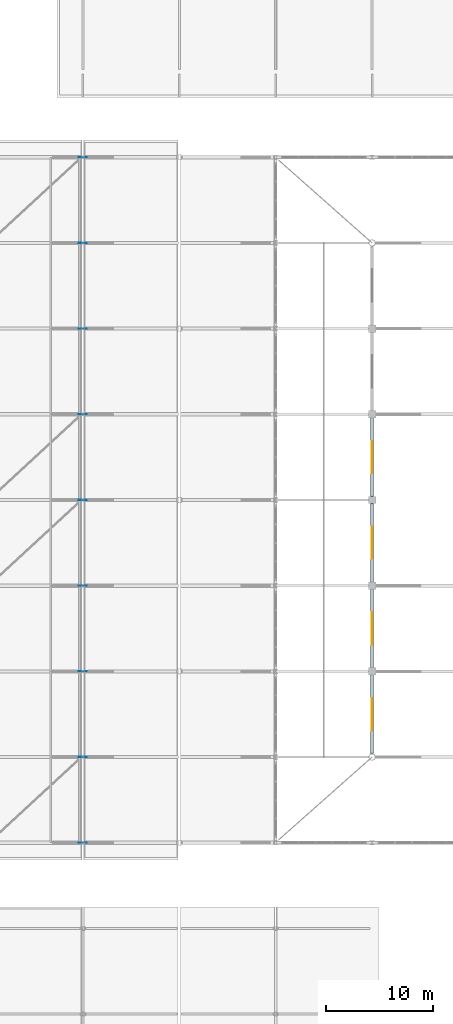
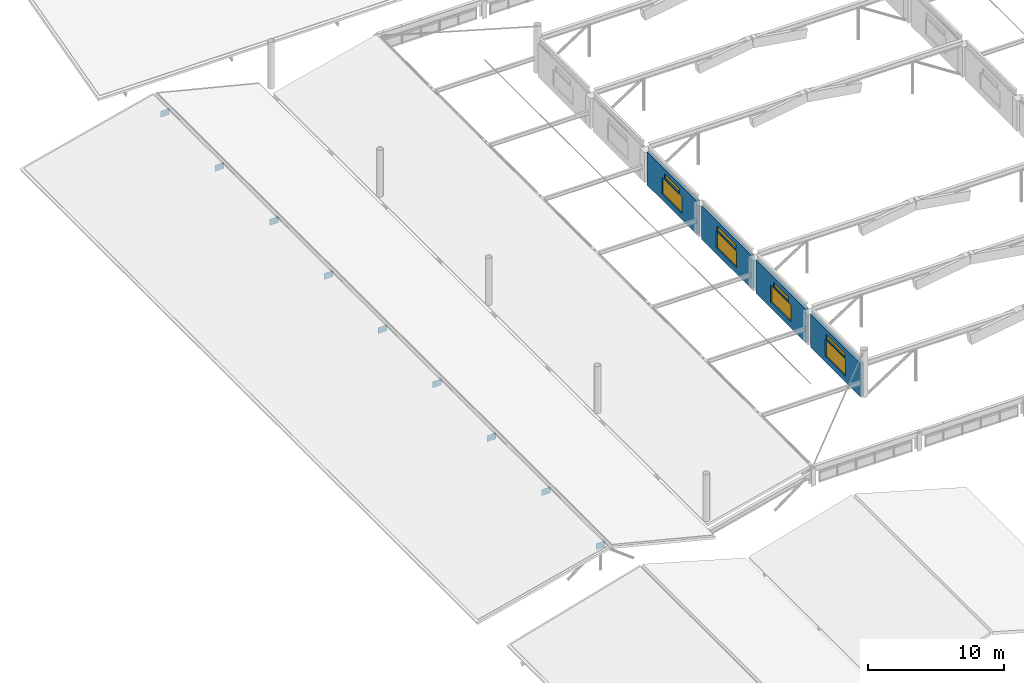
# One storey, part 108 of 128: 9 plates, 8 windows, 4 walls, 8 openings.
"""IFC4 building model written with IfcOpenShell, lengths in metres."""

from ifc_helpers import new_model, si_unit, derived_unit, direction, frame, frame_2d, origin, origin_2d, place, context, subcontext, project, spatial, rectangle, extrude, material, layer, layer_set, type_object, element, fill, save


model = new_model("IFC4")

# Units and contexts
model_context = context("Model", 3, precision=1e-05, world=origin(), true_north=direction((0.0, 1.0)))
body_context = subcontext(model_context, "Body", "Model", "MODEL_VIEW")
ifc_project = project(units=[si_unit("LENGTHUNIT", "METRE"), si_unit("AREAUNIT", "SQUARE_METRE"), si_unit("VOLUMEUNIT", "CUBIC_METRE"), si_unit("PLANEANGLEUNIT", "RADIAN"), si_unit("MASSUNIT", "GRAM", prefix="KILO"), derived_unit("THERMALTRANSMITTANCEUNIT", [(si_unit("MASSUNIT", "GRAM", prefix="KILO"), 1), (si_unit("TIMEUNIT", "SECOND"), -3), (si_unit("THERMODYNAMICTEMPERATUREUNIT", "KELVIN"), -1)])], contexts=[model_context])

# Site, building, storey
site_placement = place(None, origin())
site = spatial("IfcSite", under=ifc_project, at=site_placement, CompositionType="ELEMENT")
building_placement = place(site_placement, origin())
building = spatial("IfcBuilding", under=site, at=building_placement, Name="Zhenchuan Archway Interchange", CompositionType="ELEMENT")
storey_placement = place(building_placement, frame((0.0, 0.0, 14.39990234375)))
storey = spatial("IfcBuildingStorey", under=building, at=storey_placement, Name="L03", CompositionType="ELEMENT", Elevation=14.39990234375)

# Plates
ifc_material_1 = material(Name="Steel Q355", Category="steel")
ifc_layer_1 = layer(ifc_material_1, 0.02392578125)
ifc_layer_set_1 = layer_set([ifc_layer_1], Name="Steel Q355")
plate_type = type_object("IfcPlateType", Name="PLT_GUSSET_2", PredefinedType="SHEET", material=ifc_layer_set_1)
for number, where, z_axis, x_axis, name in (
    (1, (9.0, 24.0, 0.5751953125), (0.0, 0.0, 1.0), (1.0, 0.0, 0.0), "Bus canopy ridge gusset plate T1"),
    (2, (9.0, 32.0, 0.5751953125), (0.0, 0.0, 1.0), (1.0, 0.0, 0.0), "Bus canopy ridge gusset plate T2"),
    (3, (9.0, 40.0, 0.5751953125), (0.0, 0.0, 1.0), (1.0, 0.0, 0.0), "Bus canopy ridge gusset plate T3"),
    (4, (9.0, 48.0, 0.5751953125), (0.0, 0.0, 1.0), (1.0, 0.0, 0.0), "Bus canopy ridge gusset plate T4"),
    (5, (9.0, 56.0, 0.5751953125), (0.0, 0.0, 1.0), (1.0, 0.0, 0.0), "Bus canopy ridge gusset plate T5"),
    (6, (9.0, 64.0, 0.5751953125), (0.0, 0.0, 1.0), (1.0, 0.0, 0.0), "Bus canopy ridge gusset plate T6"),
    (7, (9.0, 72.0, 0.5751953125), (0.0, 0.0, 1.0), (1.0, 0.0, 0.0), "Bus canopy ridge gusset plate T7"),
    (8, (9.0, 80.0, 0.5751953125), (0.0, 0.0, 1.0), (1.0, 0.0, 0.0), "Bus canopy ridge gusset plate T8"),
    (9, (9.0, 88.0, 0.5751953125), (0.0, 0.0, 1.0), (1.0, 0.0, 0.0), "Bus canopy ridge gusset plate T9"),
):
    element("IfcPlate", number, at=place(storey_placement, frame(where, z_axis=z_axis, x_axis=x_axis)), inside=storey, type_object=plate_type, Name=name, PredefinedType="SHEET", context=body_context, shape_type="SweptSolid", body=[
        extrude(rectangle(XDim=0.75, YDim=0.02392578125, at=origin_2d()), origin(), (0.0, 0.0, 1.0), 0.550048828125),
    ])

# Wall, openings, windows
ifc_material_2 = material(Name="Autoclaved Aerated Concrete Block", Category="concrete")
ifc_layer_2 = layer(ifc_material_2, 0.260009765625)
ifc_layer_set_2 = layer_set([ifc_layer_2], Name="Autoclaved Aerated Concrete Block")
wall_type = type_object("IfcWallType", Name="EW_CLER_260", PredefinedType="STANDARD", material=ifc_layer_set_2)
wall_1_placement = place(storey_placement, frame((36.0, 32.302001953125, -0.27978515625), z_axis=(0.0, 0.0, 1.0), x_axis=(0.0, 1.0, 0.0)))
wall_1 = element("IfcWall", 10, at=wall_1_placement, inside=storey, type_object=wall_type, Name="Concourse raised clerestory wall W1", PredefinedType="STANDARD", context=body_context, shape_type="SweptSolid", body=[
    extrude(rectangle(XDim=7.35009765625, YDim=0.260009765625, at=frame_2d((3.675048828125, 0.0))), origin(), (0.0, 0.0, 1.0), 2.97998046875),
])
opening_1_placement = place(wall_1_placement, frame((2.175048828125, 0.0, 0.550048828125)))
opening_1 = element("IfcOpeningElement", 11, at=opening_1_placement, cuts=wall_1, Name="Opening W-10", PredefinedType="OPENING", context=body_context, shape_type="SweptSolid", body=[
    extrude(rectangle(XDim=3.0, YDim=1.5, at=frame_2d((1.5, 0.75))), frame((0.0, 0.14208984375, 0.0), z_axis=(0.0, -1.0, 0.0), x_axis=(1.0, 0.0, 0.0)), (0.0, 0.0, 1.0), 0.283935546875),
])
opening_2_placement = place(wall_1_placement, frame((2.27490234375, 0.0, 2.14990234375)))
opening_2 = element("IfcOpeningElement", 12, at=opening_2_placement, cuts=wall_1, Name="Opening SK-01", PredefinedType="OPENING", context=body_context, shape_type="SweptSolid", body=[
    extrude(rectangle(XDim=2.800048828125, YDim=0.419921875, at=frame_2d((1.39990234375, 0.2099609375))), frame((0.0, 0.14208984375, 0.0), z_axis=(0.0, -1.0, 0.0), x_axis=(1.0, 0.0, 0.0)), (0.0, 0.0, 1.0), 0.283935546875),
])
ifc_material_3 = material(Name="Double Low-E Insulated Glazing", Category="glass")
window_type_1 = type_object("IfcWindowType", Name="SK_CLER_2800x1600", PartitioningType="SINGLE_PANEL", PredefinedType="SKYLIGHT", material=ifc_material_3)
window_1_placement = place(opening_2_placement, origin())
window_1 = element("IfcWindow", 13, at=window_1_placement, inside=storey, type_object=window_type_1, Name="Concourse upper clerestory skylight W1", OverallHeight=0.419921875, OverallWidth=2.800048828125, PartitioningType="SINGLE_PANEL", PredefinedType="SKYLIGHT", context=body_context, shape_type="SweptSolid", body=[
    extrude(rectangle(XDim=2.800048828125, YDim=0.419921875, at=frame_2d((1.39990234375, 0.2099609375))), frame((0.0, 0.030029296875, 0.0), z_axis=(0.0, -1.0, 0.0), x_axis=(1.0, 0.0, 0.0)), (0.0, 0.0, 1.0), 0.06005859375),
])
fill(opening_2, window_1)
window_type_2 = type_object("IfcWindowType", Name="WN_CLER_3000x1500", PartitioningType="SINGLE_PANEL", PredefinedType="WINDOW", material=ifc_material_3)
window_2_placement = place(opening_1_placement, origin())
window_2 = element("IfcWindow", 14, at=window_2_placement, inside=storey, type_object=window_type_2, Name="Concourse daylight clerestory window W1", OverallHeight=1.5, OverallWidth=3.0, PartitioningType="SINGLE_PANEL", PredefinedType="WINDOW", context=body_context, shape_type="SweptSolid", body=[
    extrude(rectangle(XDim=3.0, YDim=1.5, at=frame_2d((1.5, 0.75))), frame((0.0, 0.030029296875, 0.0), z_axis=(0.0, -1.0, 0.0), x_axis=(1.0, 0.0, 0.0)), (0.0, 0.0, 1.0), 0.06005859375),
])
fill(opening_1, window_2)

wall_2_placement = place(storey_placement, frame((36.0, 40.347900390625, -0.27978515625), z_axis=(0.0, 0.0, 1.0), x_axis=(0.0, 1.0, 0.0)))
wall_2 = element("IfcWall", 15, at=wall_2_placement, inside=storey, type_object=wall_type, Name="Concourse raised clerestory wall W2", PredefinedType="STANDARD", context=body_context, shape_type="SweptSolid", body=[
    extrude(rectangle(XDim=7.30419921875, YDim=0.260009765625, at=frame_2d((3.652099609375, 0.0))), origin(), (0.0, 0.0, 1.0), 2.97998046875),
])
opening_3_placement = place(wall_2_placement, frame((2.152099609375, 0.0, 0.550048828125)))
opening_3 = element("IfcOpeningElement", 16, at=opening_3_placement, cuts=wall_2, Name="Opening W-10", PredefinedType="OPENING", context=body_context, shape_type="SweptSolid", body=[
    extrude(rectangle(XDim=3.0, YDim=1.5, at=frame_2d((1.5, 0.75))), frame((0.0, 0.14208984375, 0.0), z_axis=(0.0, -1.0, 0.0), x_axis=(1.0, 0.0, 0.0)), (0.0, 0.0, 1.0), 0.283935546875),
])
opening_4_placement = place(wall_2_placement, frame((2.552001953125, 0.0, 2.14990234375)))
opening_4 = element("IfcOpeningElement", 17, at=opening_4_placement, cuts=wall_2, Name="Opening SK-02", PredefinedType="OPENING", context=body_context, shape_type="SweptSolid", body=[
    extrude(rectangle(XDim=2.199951171875, YDim=0.419921875, at=frame_2d((1.10009765625, 0.2099609375))), frame((0.0, 0.14208984375, 0.0), z_axis=(0.0, -1.0, 0.0), x_axis=(1.0, 0.0, 0.0)), (0.0, 0.0, 1.0), 0.283935546875),
])
window_type_3 = type_object("IfcWindowType", Name="SK_CLER_2200x1400", PartitioningType="SINGLE_PANEL", PredefinedType="SKYLIGHT", material=ifc_material_3)
window_3_placement = place(opening_4_placement, origin())
window_3 = element("IfcWindow", 18, at=window_3_placement, inside=storey, type_object=window_type_3, Name="Concourse upper clerestory skylight W2", OverallHeight=0.419921875, OverallWidth=2.199951171875, PartitioningType="SINGLE_PANEL", PredefinedType="SKYLIGHT", context=body_context, shape_type="SweptSolid", body=[
    extrude(rectangle(XDim=2.199951171875, YDim=0.419921875, at=frame_2d((1.10009765625, 0.2099609375))), frame((0.0, 0.030029296875, 0.0), z_axis=(0.0, -1.0, 0.0), x_axis=(1.0, 0.0, 0.0)), (0.0, 0.0, 1.0), 0.06005859375),
])
fill(opening_4, window_3)
window_4_placement = place(opening_3_placement, origin())
window_4 = element("IfcWindow", 19, at=window_4_placement, inside=storey, type_object=window_type_2, Name="Concourse daylight clerestory window W2", OverallHeight=1.5, OverallWidth=3.0, PartitioningType="SINGLE_PANEL", PredefinedType="WINDOW", context=body_context, shape_type="SweptSolid", body=[
    extrude(rectangle(XDim=3.0, YDim=1.5, at=frame_2d((1.5, 0.75))), frame((0.0, 0.030029296875, 0.0), z_axis=(0.0, -1.0, 0.0), x_axis=(1.0, 0.0, 0.0)), (0.0, 0.0, 1.0), 0.06005859375),
])
fill(opening_3, window_4)

wall_3_placement = place(storey_placement, frame((36.0, 48.347900390625, -0.27978515625), z_axis=(0.0, 0.0, 1.0), x_axis=(0.0, 1.0, 0.0)))
wall_3 = element("IfcWall", 20, at=wall_3_placement, inside=storey, type_object=wall_type, Name="Concourse raised clerestory wall W3", PredefinedType="STANDARD", context=body_context, shape_type="SweptSolid", body=[
    extrude(rectangle(XDim=7.30419921875, YDim=0.260009765625, at=frame_2d((3.652099609375, 0.0))), origin(), (0.0, 0.0, 1.0), 2.97998046875),
])
opening_5_placement = place(wall_3_placement, frame((2.152099609375, 0.0, 0.550048828125)))
opening_5 = element("IfcOpeningElement", 21, at=opening_5_placement, cuts=wall_3, Name="Opening W-10", PredefinedType="OPENING", context=body_context, shape_type="SweptSolid", body=[
    extrude(rectangle(XDim=3.0, YDim=1.5, at=frame_2d((1.5, 0.75))), frame((0.0, 0.14208984375, 0.0), z_axis=(0.0, -1.0, 0.0), x_axis=(1.0, 0.0, 0.0)), (0.0, 0.0, 1.0), 0.283935546875),
])
opening_6_placement = place(wall_3_placement, frame((2.251953125, 0.0, 2.14990234375)))
opening_6 = element("IfcOpeningElement", 22, at=opening_6_placement, cuts=wall_3, Name="Opening SK-01", PredefinedType="OPENING", context=body_context, shape_type="SweptSolid", body=[
    extrude(rectangle(XDim=2.800048828125, YDim=0.419921875, at=frame_2d((1.39990234375, 0.2099609375))), frame((0.0, 0.14208984375, 0.0), z_axis=(0.0, -1.0, 0.0), x_axis=(1.0, 0.0, 0.0)), (0.0, 0.0, 1.0), 0.283935546875),
])
window_5_placement = place(opening_6_placement, origin())
window_5 = element("IfcWindow", 23, at=window_5_placement, inside=storey, type_object=window_type_1, Name="Concourse upper clerestory skylight W3", OverallHeight=0.419921875, OverallWidth=2.800048828125, PartitioningType="SINGLE_PANEL", PredefinedType="SKYLIGHT", context=body_context, shape_type="SweptSolid", body=[
    extrude(rectangle(XDim=2.800048828125, YDim=0.419921875, at=frame_2d((1.39990234375, 0.2099609375))), frame((0.0, 0.030029296875, 0.0), z_axis=(0.0, -1.0, 0.0), x_axis=(1.0, 0.0, 0.0)), (0.0, 0.0, 1.0), 0.06005859375),
])
fill(opening_6, window_5)
window_6_placement = place(opening_5_placement, origin())
window_6 = element("IfcWindow", 24, at=window_6_placement, inside=storey, type_object=window_type_2, Name="Concourse daylight clerestory window W3", OverallHeight=1.5, OverallWidth=3.0, PartitioningType="SINGLE_PANEL", PredefinedType="WINDOW", context=body_context, shape_type="SweptSolid", body=[
    extrude(rectangle(XDim=3.0, YDim=1.5, at=frame_2d((1.5, 0.75))), frame((0.0, 0.030029296875, 0.0), z_axis=(0.0, -1.0, 0.0), x_axis=(1.0, 0.0, 0.0)), (0.0, 0.0, 1.0), 0.06005859375),
])
fill(opening_5, window_6)

wall_4_placement = place(storey_placement, frame((36.0, 56.347900390625, -0.27978515625), z_axis=(0.0, 0.0, 1.0), x_axis=(0.0, 1.0, 0.0)))
wall_4 = element("IfcWall", 25, at=wall_4_placement, inside=storey, type_object=wall_type, Name="Concourse raised clerestory wall W4", PredefinedType="STANDARD", context=body_context, shape_type="SweptSolid", body=[
    extrude(rectangle(XDim=7.30419921875, YDim=0.260009765625, at=frame_2d((3.652099609375, 0.0))), origin(), (0.0, 0.0, 1.0), 2.97998046875),
])
opening_7_placement = place(wall_4_placement, frame((2.152099609375, 0.0, 0.550048828125)))
opening_7 = element("IfcOpeningElement", 26, at=opening_7_placement, cuts=wall_4, Name="Opening W-10", PredefinedType="OPENING", context=body_context, shape_type="SweptSolid", body=[
    extrude(rectangle(XDim=3.0, YDim=1.5, at=frame_2d((1.5, 0.75))), frame((0.0, 0.14208984375, 0.0), z_axis=(0.0, -1.0, 0.0), x_axis=(1.0, 0.0, 0.0)), (0.0, 0.0, 1.0), 0.283935546875),
])
opening_8_placement = place(wall_4_placement, frame((2.552001953125, 0.0, 2.14990234375)))
opening_8 = element("IfcOpeningElement", 27, at=opening_8_placement, cuts=wall_4, Name="Opening SK-02", PredefinedType="OPENING", context=body_context, shape_type="SweptSolid", body=[
    extrude(rectangle(XDim=2.199951171875, YDim=0.419921875, at=frame_2d((1.10009765625, 0.2099609375))), frame((0.0, 0.14208984375, 0.0), z_axis=(0.0, -1.0, 0.0), x_axis=(1.0, 0.0, 0.0)), (0.0, 0.0, 1.0), 0.283935546875),
])
window_7_placement = place(opening_8_placement, origin())
window_7 = element("IfcWindow", 28, at=window_7_placement, inside=storey, type_object=window_type_3, Name="Concourse upper clerestory skylight W4", OverallHeight=0.419921875, OverallWidth=2.199951171875, PartitioningType="SINGLE_PANEL", PredefinedType="SKYLIGHT", context=body_context, shape_type="SweptSolid", body=[
    extrude(rectangle(XDim=2.199951171875, YDim=0.419921875, at=frame_2d((1.10009765625, 0.2099609375))), frame((0.0, 0.030029296875, 0.0), z_axis=(0.0, -1.0, 0.0), x_axis=(1.0, 0.0, 0.0)), (0.0, 0.0, 1.0), 0.06005859375),
])
fill(opening_8, window_7)
window_8_placement = place(opening_7_placement, origin())
window_8 = element("IfcWindow", 29, at=window_8_placement, inside=storey, type_object=window_type_2, Name="Concourse daylight clerestory window W4", OverallHeight=1.5, OverallWidth=3.0, PartitioningType="SINGLE_PANEL", PredefinedType="WINDOW", context=body_context, shape_type="SweptSolid", body=[
    extrude(rectangle(XDim=3.0, YDim=1.5, at=frame_2d((1.5, 0.75))), frame((0.0, 0.030029296875, 0.0), z_axis=(0.0, -1.0, 0.0), x_axis=(1.0, 0.0, 0.0)), (0.0, 0.0, 1.0), 0.06005859375),
])
fill(opening_7, window_8)

save(model, "model.ifc")
